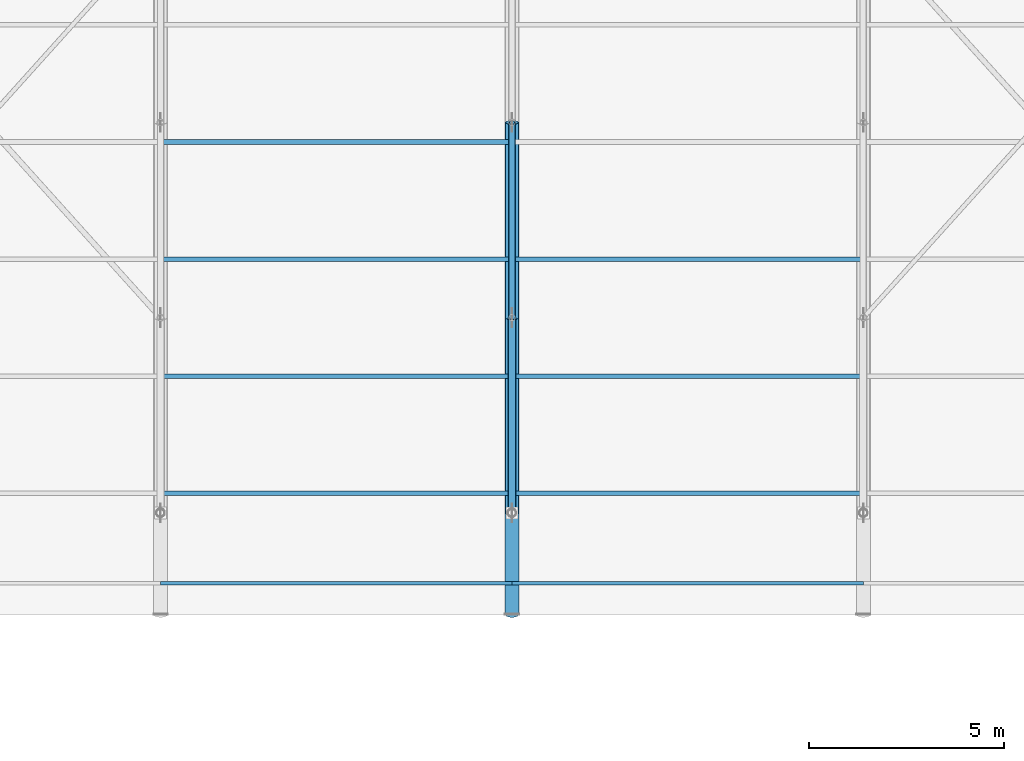
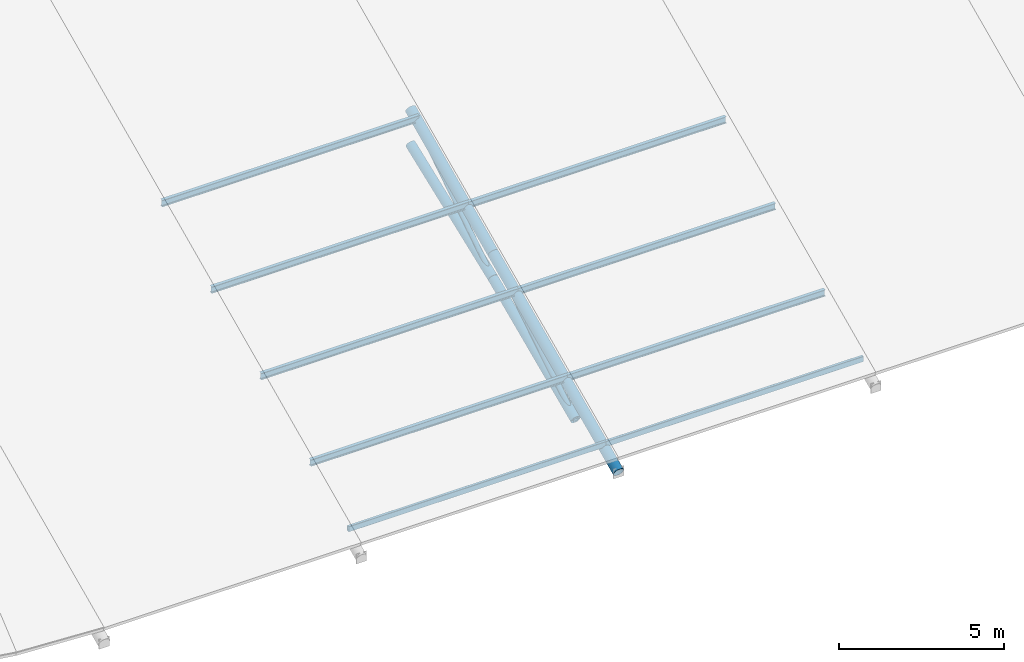
# One storey, part 11 of 107: 15 members.
"""IFC4 building model written with IfcOpenShell, lengths in metres."""

from ifc_helpers import new_model, si_unit, derived_unit, direction, frame, origin, origin_2d, place, context, subcontext, project, spatial, hollow_rectangle, hollow_circle, i_section, extrude, material, material_profile, profile_set, type_object, element, save


model = new_model("IFC4")

# Units and contexts
model_context = context("Model", 3, precision=1e-05, world=origin(), true_north=direction((0.0, 1.0)))
body_context = subcontext(model_context, "Body", "Model", "MODEL_VIEW")
ifc_project = project(units=[si_unit("LENGTHUNIT", "METRE"), si_unit("AREAUNIT", "SQUARE_METRE"), si_unit("VOLUMEUNIT", "CUBIC_METRE"), si_unit("PLANEANGLEUNIT", "RADIAN"), si_unit("MASSUNIT", "GRAM", prefix="KILO"), si_unit("THERMODYNAMICTEMPERATUREUNIT", "KELVIN"), si_unit("TIMEUNIT", "SECOND"), derived_unit("THERMALTRANSMITTANCEUNIT", [(si_unit("MASSUNIT", "GRAM", prefix="KILO"), 1), (si_unit("THERMODYNAMICTEMPERATUREUNIT", "KELVIN"), -1), (si_unit("TIMEUNIT", "SECOND"), -3)])], contexts=[model_context])

# Site, building, storey
site_placement = place(None, origin())
site = spatial("IfcSite", under=ifc_project, at=site_placement, CompositionType="ELEMENT")
building_placement = place(site_placement, origin())
building = spatial("IfcBuilding", under=site, at=building_placement, Name="Cambertide Market Hall", CompositionType="ELEMENT")
storey_placement = place(building_placement, frame((0.0, 0.0, 18.300048828125)))
storey = spatial("IfcBuildingStorey", under=building, at=storey_placement, Name="RF", CompositionType="ELEMENT", Elevation=18.300048828125)

# Members
ifc_material_1 = material(Name="Steel S355", Category="steel")
ifc_material_profile_1 = material_profile(ifc_material_1, hollow_circle(Radius=0.161865234375, WallThickness=0.010009765625, at=origin_2d()), Name="CHS 323.9x10")
ifc_profile_set_1 = profile_set([ifc_material_profile_1], Name="Steel S355")
member_type_1 = type_object("IfcMemberType", Name="Arched Truss Chord CHS 323.9x10", PredefinedType="CHORD", material=ifc_profile_set_1)
member_1_placement = place(storey_placement, frame((60.0, 52.0, -10.380126953125), z_axis=(0.0, 0.915087583381, 0.403255148438), x_axis=(-1.0, 0.0, 0.0)))
element("IfcMember", 1, at=member_1_placement, inside=storey, type_object=member_type_1, Name="Roof Truss 3 Arched Bottom Chord 1", PredefinedType="CHORD", context=body_context, shape_type="SweptSolid", body=[
    extrude(hollow_circle(Radius=0.161865234375, WallThickness=0.010009765625, at=origin_2d()), origin(), (0.0, 0.0, 1.0), 5.4638671875),
])
member_2_placement = place(storey_placement, frame((60.0, 57.0, -8.1767578125), z_axis=(0.0, 0.933191676524, 0.359379040661), x_axis=(-1.0, 0.0, 0.0)))
element("IfcMember", 2, at=member_2_placement, inside=storey, type_object=member_type_1, Name="Roof Truss 3 Arched Bottom Chord 2", PredefinedType="CHORD", context=body_context, shape_type="SweptSolid", body=[
    extrude(hollow_circle(Radius=0.161865234375, WallThickness=0.010009765625, at=origin_2d()), origin(), (0.0, 0.0, 1.0), 5.35791015625),
])
ifc_material_2 = material(Name="Steel S355", Category="steel")
ifc_material_profile_2 = material_profile(ifc_material_2, hollow_circle(Radius=0.177734375, WallThickness=0.012451171875, at=origin_2d()), Name="CHS 355.6x12.5")
ifc_profile_set_2 = profile_set([ifc_material_profile_2], Name="Steel S355")
member_type_2 = type_object("IfcMemberType", Name="Arched Truss Chord CHS 355.6x12.5", PredefinedType="CHORD", material=ifc_profile_set_2)
member_3_placement = place(storey_placement, frame((60.0, 57.0, -7.25), z_axis=(0.0, 0.908487084298, 0.417912930721), x_axis=(-1.0, 0.0, 0.0)))
element("IfcMember", 3, at=member_3_placement, inside=storey, type_object=member_type_2, Name="Roof Truss 3 Top Chord 2", PredefinedType="CHORD", context=body_context, shape_type="SweptSolid", body=[
    extrude(hollow_circle(Radius=0.177734375, WallThickness=0.012451171875, at=origin_2d()), origin(), (0.0, 0.0, 1.0), 5.503662109375),
])
ifc_material_3 = material(Name="Steel S355", Category="steel")
ifc_material_profile_3 = material_profile(ifc_material_3, hollow_circle(Radius=0.177734375, WallThickness=0.012451171875, at=origin_2d()), Name="CHS 355.6x12.5")
ifc_profile_set_3 = profile_set([ifc_material_profile_3], Name="Steel S355")
member_type_3 = type_object("IfcMemberType", Name="Exterior Arched Truss Chord CHS 355.6x12.5", PredefinedType="CHORD", material=ifc_profile_set_3)
member_4_placement = place(storey_placement, frame((60.0, 49.39990234375, -10.74609375), z_axis=(0.0, 0.908488236671, 0.417910425606), x_axis=(-1.0, 0.0, 0.0)))
element("IfcMember", 4, at=member_4_placement, inside=storey, type_object=member_type_3, Name="Roof Truss 3 Top Chord 1", PredefinedType="CHORD", context=body_context, shape_type="SweptSolid", body=[
    extrude(hollow_circle(Radius=0.177734375, WallThickness=0.012451171875, at=origin_2d()), origin(), (0.0, 0.0, 1.0), 8.36572265625),
])
ifc_material_4 = material(Name="Steel S275", Category="steel")
ifc_material_profile_4 = material_profile(ifc_material_4, hollow_rectangle(XDim=0.10009765625, YDim=0.199951171875, WallThickness=0.00634765625, InnerFilletRadius=0.00634765625, OuterFilletRadius=0.0126953125, at=origin_2d()), Name="RHS 200x100x6.3")
ifc_profile_set_4 = profile_set([ifc_material_profile_4], Name="Steel S275")
member_type_4 = type_object("IfcMemberType", Name="Exterior Roof Purlin RHS 200x100x6.3", PredefinedType="PURLIN", material=ifc_profile_set_4)
for number, where, z_axis, x_axis, name in (
    (5, (51.0, 50.199951171875, -10.16796875), (1.0, 0.0, 0.0), (0.0, 1.0, 0.0), "Barrel Roof Purlin 2-01"),
    (6, (60.0, 50.199951171875, -10.16796875), (1.0, 0.0, 0.0), (0.0, 1.0, 0.0), "Barrel Roof Purlin 3-01"),
):
    element("IfcMember", number, at=place(storey_placement, frame(where, z_axis=z_axis, x_axis=x_axis)), inside=storey, type_object=member_type_4, Name=name, PredefinedType="PURLIN", context=body_context, shape_type="SweptSolid", body=[
        extrude(hollow_rectangle(XDim=0.10009765625, YDim=0.199951171875, WallThickness=0.00634765625, InnerFilletRadius=0.00634765625, OuterFilletRadius=0.0126953125, at=origin_2d()), origin(), (0.0, 0.0, 1.0), 9.0),
    ])
ifc_material_5 = material(Name="Steel S275", Category="steel")
ifc_material_profile_5 = material_profile(ifc_material_5, i_section(OverallWidth=0.1201171875, OverallDepth=0.239990234375, WebThickness=0.006103515625, FlangeThickness=0.009765625, FilletRadius=0.014892578125, at=origin_2d()), Name="IPE 240")
ifc_profile_set_5 = profile_set([ifc_material_profile_5], Name="Steel S275")
member_type_5 = type_object("IfcMemberType", Name="Roof Purlin IPE 240", PredefinedType="PURLIN", material=ifc_profile_set_5)
for number, where, z_axis, x_axis, name in (
    (7, (51.0, 52.5, -9.110107421875), (1.0, 0.0, 0.0), (0.0, 1.0, 0.0), "Barrel Roof Purlin 2-02"),
    (8, (51.0, 55.5, -7.72998046875), (1.0, 0.0, 0.0), (0.0, 1.0, 0.0), "Barrel Roof Purlin 2-03"),
    (9, (51.0, 58.5, -6.35009765625), (1.0, 0.0, 0.0), (0.0, 1.0, 0.0), "Barrel Roof Purlin 2-04"),
    (10, (51.0, 61.5, -4.969970703125), (1.0, 0.0, 0.0), (0.0, 1.0, 0.0), "Barrel Roof Purlin 2-05"),
    (11, (60.0, 52.5, -9.110107421875), (1.0, 0.0, 0.0), (0.0, 1.0, 0.0), "Barrel Roof Purlin 3-02"),
    (12, (60.0, 55.5, -7.72998046875), (1.0, 0.0, 0.0), (0.0, 1.0, 0.0), "Barrel Roof Purlin 3-03"),
    (13, (60.0, 58.5, -6.35009765625), (1.0, 0.0, 0.0), (0.0, 1.0, 0.0), "Barrel Roof Purlin 3-04"),
):
    element("IfcMember", number, at=place(storey_placement, frame(where, z_axis=z_axis, x_axis=x_axis)), inside=storey, type_object=member_type_5, Name=name, PredefinedType="PURLIN", context=body_context, shape_type="SweptSolid", body=[
        extrude(i_section(OverallWidth=0.1201171875, OverallDepth=0.239990234375, WebThickness=0.006103515625, FlangeThickness=0.009765625, FilletRadius=0.014892578125, at=origin_2d()), origin(), (0.0, 0.0, 1.0), 9.0),
    ])
ifc_material_6 = material(Name="Steel S355", Category="steel")
ifc_material_profile_6 = material_profile(ifc_material_6, hollow_circle(Radius=0.084228515625, WallThickness=0.00634765625, at=origin_2d()), Name="CHS 168.3x6.3")
ifc_profile_set_6 = profile_set([ifc_material_profile_6], Name="Steel S355")
member_type_6 = type_object("IfcMemberType", Name="Structural Brace CHS 168.3x6.3", PredefinedType="BRACE", material=ifc_profile_set_6)
member_5_placement = place(storey_placement, frame((60.0, 57.0, -8.1767578125), z_axis=(0.0, 0.840220073362, 0.542245542462), x_axis=(-1.0, 0.0, 0.0)))
element("IfcMember", 14, at=member_5_placement, inside=storey, type_object=member_type_6, Name="Roof Truss 3 Web Diagonal 2", PredefinedType="BRACE", context=body_context, shape_type="SweptSolid", body=[
    extrude(hollow_circle(Radius=0.084228515625, WallThickness=0.00634765625, at=origin_2d()), origin(), (0.0, 0.0, 1.0), 5.950927734375),
])
ifc_material_7 = material(Name="Steel S355", Category="steel")
ifc_material_profile_7 = material_profile(ifc_material_7, hollow_circle(Radius=0.096923828125, WallThickness=0.00634765625, at=origin_2d()), Name="CHS 193.7x6.3")
ifc_profile_set_7 = profile_set([ifc_material_profile_7], Name="Steel S355")
member_type_7 = type_object("IfcMemberType", Name="Structural Brace CHS 193.7x6.3", PredefinedType="BRACE", material=ifc_profile_set_7)
member_6_placement = place(storey_placement, frame((60.0, 52.0, -10.380126953125), z_axis=(0.0, 0.847607454032, 0.530623787507), x_axis=(-1.0, 0.0, 0.0)))
element("IfcMember", 15, at=member_6_placement, inside=storey, type_object=member_type_7, Name="Roof Truss 3 Web Diagonal 1", PredefinedType="BRACE", context=body_context, shape_type="SweptSolid", body=[
    extrude(hollow_circle(Radius=0.096923828125, WallThickness=0.00634765625, at=origin_2d()), origin(), (0.0, 0.0, 1.0), 5.89892578125),
])

save(model, "model.ifc")
